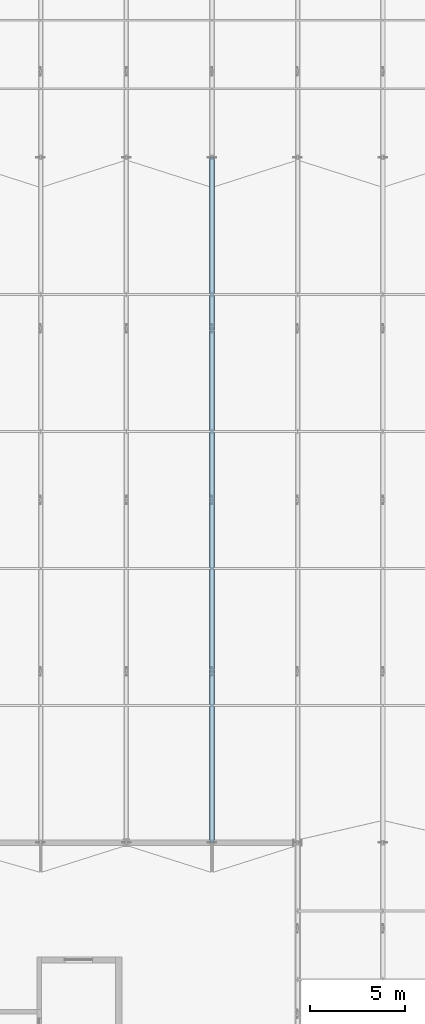
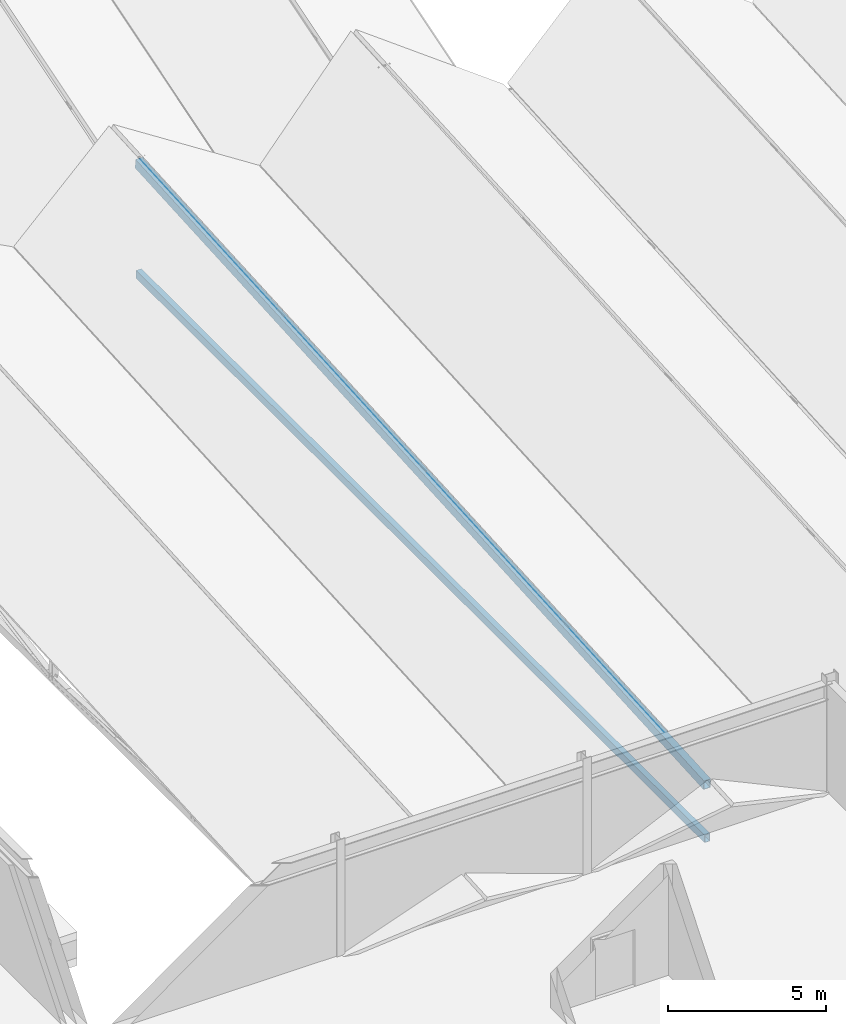
# One storey, part 35 of 142: 2 members.
"""IFC4 building model written with IfcOpenShell, lengths in metres."""

from ifc_helpers import new_model, si_unit, direction, frame, origin, origin_2d, place, context, subcontext, project, spatial, hollow_rectangle, extrude, material, material_profile, profile_set, type_object, element, save


model = new_model("IFC4")

# Units and contexts
model_context = context("Model", 3, precision=1e-05, world=origin(), true_north=direction((0.0, 1.0)))
body_context = subcontext(model_context, "Body", "Model", "MODEL_VIEW")
ifc_project = project(units=[si_unit("LENGTHUNIT", "METRE"), si_unit("AREAUNIT", "SQUARE_METRE"), si_unit("VOLUMEUNIT", "CUBIC_METRE"), si_unit("PLANEANGLEUNIT", "RADIAN"), si_unit("MASSUNIT", "GRAM", prefix="KILO")], contexts=[model_context])

# Site, building, storey
site_placement = place(None, origin())
site = spatial("IfcSite", under=ifc_project, at=site_placement, CompositionType="ELEMENT")
building_placement = place(site_placement, origin())
building = spatial("IfcBuilding", under=site, at=building_placement, Name="Montelvaro Courts of Justice", CompositionType="ELEMENT")
storey_placement = place(building_placement, frame((0.0, 0.0, 14.39990234375)))
storey = spatial("IfcBuildingStorey", under=building, at=storey_placement, Name="L03", CompositionType="ELEMENT", Elevation=14.39990234375)

# Members
ifc_material = material(Name="Steel S355", Category="steel")
ifc_material_profile_1 = material_profile(ifc_material, hollow_rectangle(XDim=0.199951171875, YDim=0.300048828125, WallThickness=0.012451171875, at=origin_2d()), Name="RHS 300x200x12.5")
ifc_profile_set_1 = profile_set([ifc_material_profile_1], Name="Steel S355")
member_type_1 = type_object("IfcMemberType", Name="Mem_RHS300_Chord", PredefinedType="CHORD", material=ifc_profile_set_1)
member_1_placement = place(storey_placement, frame((67.5, 42.0, -0.2998046875), z_axis=(0.0, 1.0, 0.0), x_axis=(-1.0, 0.0, 0.0)))
element("IfcMember", 1, at=member_1_placement, inside=storey, type_object=member_type_1, Name="Roof Truss ROOF-PASSAGE-RTR02 Bottom Chord", PredefinedType="CHORD", context=body_context, shape_type="SweptSolid", body=[
    extrude(hollow_rectangle(XDim=0.199951171875, YDim=0.300048828125, WallThickness=0.012451171875, at=origin_2d()), origin(), (0.0, 0.0, 1.0), 36.0),
])
ifc_material_profile_2 = material_profile(ifc_material, hollow_rectangle(XDim=0.25, YDim=0.35009765625, WallThickness=0.012451171875, at=origin_2d()), Name="RHS 350x250x12.5")
ifc_profile_set_2 = profile_set([ifc_material_profile_2], Name="Steel S355")
member_type_2 = type_object("IfcMemberType", Name="Mem_RHS350_Chord", PredefinedType="CHORD", material=ifc_profile_set_2)
member_2_placement = place(storey_placement, frame((67.5, 42.0, 1.780029296875), z_axis=(0.0, 0.998138012374, 0.060995969167), x_axis=(-1.0, 0.0, 0.0)))
element("IfcMember", 2, at=member_2_placement, inside=storey, type_object=member_type_2, Name="Roof Truss ROOF-PASSAGE-RTR02 Top Chord", PredefinedType="CHORD", context=body_context, shape_type="SweptSolid", body=[
    extrude(hollow_rectangle(XDim=0.25, YDim=0.35009765625, WallThickness=0.012451171875, at=origin_2d()), origin(), (0.0, 0.0, 1.0), 36.067138671875),
])

save(model, "model.ifc")
